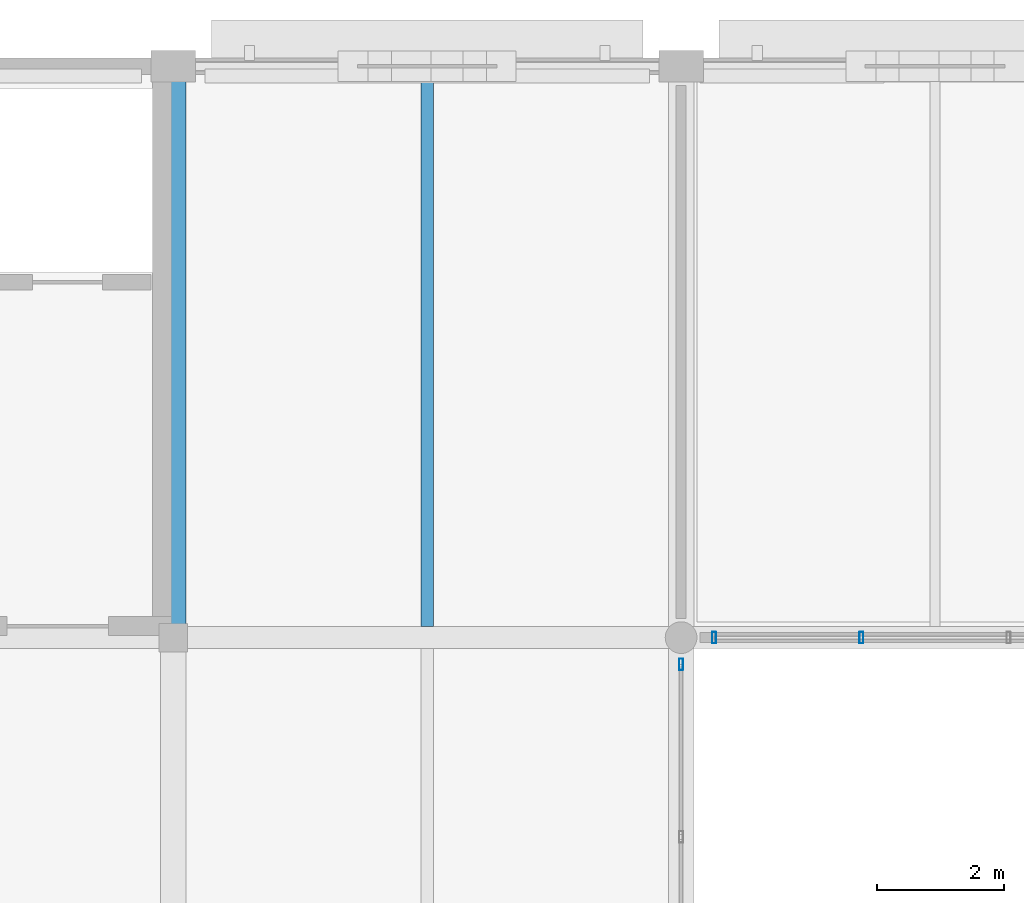
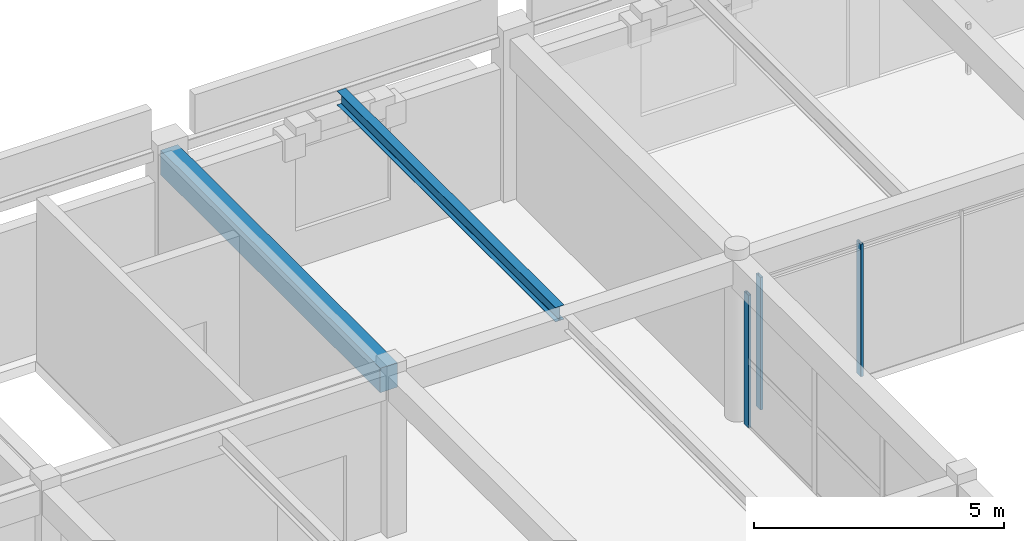
# One storey, part 54 of 126: 3 members, 2 beams, 2 elements without a shape of their own.
"""IFC4 building model written with IfcOpenShell, lengths in metres."""

from ifc_helpers import new_model, si_unit, direction, frame, origin, origin_2d, place, context, subcontext, project, spatial, rectangle, hollow_rectangle, i_section, extrude, material, material_profile, profile_set, type_object, element, aggregate, save


model = new_model("IFC4")

# Units and contexts
model_context = context("Model", 3, precision=1e-05, world=origin(), true_north=direction((0.0, 1.0)))
body_context = subcontext(model_context, "Body", "Model", "MODEL_VIEW")
ifc_project = project(units=[si_unit("LENGTHUNIT", "METRE"), si_unit("AREAUNIT", "SQUARE_METRE"), si_unit("VOLUMEUNIT", "CUBIC_METRE"), si_unit("PLANEANGLEUNIT", "RADIAN"), si_unit("MASSUNIT", "GRAM", prefix="KILO")], contexts=[model_context])

# Site, building, storey
site_placement = place(None, origin())
site = spatial("IfcSite", under=ifc_project, at=site_placement, CompositionType="ELEMENT")
building_placement = place(site_placement, origin())
building = spatial("IfcBuilding", under=site, at=building_placement, Name="Varnabhumi Central Station", CompositionType="ELEMENT")
storey_placement = place(building_placement, frame((0.0, 0.0, 16.199951171875)))
storey = spatial("IfcBuildingStorey", under=building, at=storey_placement, Name="L03", CompositionType="ELEMENT", Elevation=16.199951171875)

# Beams
ifc_material_1 = material(Name="Concrete M40", Category="concrete")
ifc_material_profile_1 = material_profile(ifc_material_1, rectangle(XDim=0.39990234375, YDim=0.60009765625, at=origin_2d()), Name="Concrete M40", Category="concrete")
ifc_profile_set_1 = profile_set([ifc_material_profile_1], Name="Concrete M40")
beam_type_1 = type_object("IfcBeamType", Name="BM-RC-400x600", PredefinedType="BEAM", material=ifc_profile_set_1)
beam_1_placement = place(storey_placement, frame((40.0, 107.10009765625, 3.650146484375), z_axis=(0.0, 1.0, 0.0), x_axis=(-1.0, 0.0, 0.0)))
element("IfcBeam", 1, at=beam_1_placement, inside=storey, type_object=beam_type_1, Name="Beam L03-6:N-P", PredefinedType="BEAM", context=body_context, shape_type="SweptSolid", body=[
    extrude(rectangle(XDim=0.39990234375, YDim=0.60009765625, at=origin_2d()), origin(), (0.0, 0.0, 1.0), 8.7998046875),
])
ifc_material_2 = material(Name="Structural steel E350", Category="steel")
ifc_material_profile_2 = material_profile(ifc_material_2, i_section(OverallWidth=0.199951171875, OverallDepth=0.35009765625, WebThickness=0.008056640625, FlangeThickness=0.011474609375, FilletRadius=0.011962890625, at=origin_2d()), Name="Structural steel E350", Category="steel")
ifc_profile_set_2 = profile_set([ifc_material_profile_2], Name="Structural steel E350")
beam_type_2 = type_object("IfcBeamType", Name="BM-STL-ISWB350", PredefinedType="JOIST", material=ifc_profile_set_2)
beam_2_placement = place(storey_placement, frame((44.0, 107.175048828125, 3.775146484375), z_axis=(0.0, 1.0, 0.0), x_axis=(-1.0, 0.0, 0.0)))
element("IfcBeam", 2, at=beam_2_placement, inside=storey, type_object=beam_type_2, Name="Secondary Joist L03-6/7:N-P", PredefinedType="JOIST", context=body_context, shape_type="SweptSolid", body=[
    extrude(i_section(OverallWidth=0.199951171875, OverallDepth=0.35009765625, WebThickness=0.008056640625, FlangeThickness=0.011474609375, FilletRadius=0.011962890625, at=origin_2d()), origin(), (0.0, 0.0, 1.0), 8.75),
])

# Curtain wall, member
ifc_material_3 = material(Name="Anodised aluminium 6063-T6", Category="aluminium")
curtain_wall_type = type_object("IfcCurtainWallType", Name="CW-PATIO-LOGGIA-L3", PredefinedType="NOTDEFINED", material=ifc_material_3)
curtain_wall_1_placement = place(storey_placement, origin())
curtain_wall_1 = element("IfcCurtainWall", 3, at=curtain_wall_1_placement, inside=storey, type_object=curtain_wall_type, Name="Curtain Wall CW-NP3E2", PredefinedType="NOTDEFINED")
ifc_material_profile_3 = material_profile(ifc_material_3, hollow_rectangle(XDim=0.06494140625, YDim=0.179931640625, WallThickness=0.00390625, InnerFilletRadius=0.001953125, OuterFilletRadius=0.006103515625, at=origin_2d()), Name="Anodised aluminium 6063-T6", Category="aluminium")
ifc_profile_set_3 = profile_set([ifc_material_profile_3], Name="Anodised aluminium 6063-T6")
member_type = type_object("IfcMemberType", Name="CW-MUL-180", PredefinedType="MULLION", material=ifc_profile_set_3)
member_1_placement = place(storey_placement, frame((48.0, 106.580078125, 0.0), z_axis=(0.0, 0.0, 1.0), x_axis=(1.0, 0.0, 0.0)))
member_1 = element("IfcMember", 4, at=member_1_placement, type_object=member_type, Name="Curtain Wall Mullion CW-NP3E2-M4", PredefinedType="MULLION", context=body_context, shape_type="SweptSolid", body=[
    extrude(hollow_rectangle(XDim=0.06494140625, YDim=0.179931640625, WallThickness=0.00390625, InnerFilletRadius=0.001953125, OuterFilletRadius=0.006103515625, at=origin_2d()), origin(), (0.0, 0.0, 1.0), 3.239990234375),
])
aggregate(curtain_wall_1, [member_1])

# Curtain wall, members
curtain_wall_2_placement = place(storey_placement, origin())
curtain_wall_2 = element("IfcCurtainWall", 5, at=curtain_wall_2_placement, inside=storey, type_object=curtain_wall_type, Name="Curtain Wall CW-NP3N1", PredefinedType="NOTDEFINED")
member_2_placement = place(storey_placement, frame((48.52001953125, 107.0, 0.0), z_axis=(0.0, 0.0, 1.0), x_axis=(1.0, 0.0, 0.0)))
member_2 = element("IfcMember", 6, at=member_2_placement, type_object=member_type, Name="Curtain Wall Mullion CW-NP3N1-M1", PredefinedType="MULLION", context=body_context, shape_type="SweptSolid", body=[
    extrude(hollow_rectangle(XDim=0.06494140625, YDim=0.179931640625, WallThickness=0.00390625, InnerFilletRadius=0.001953125, OuterFilletRadius=0.006103515625, at=origin_2d()), origin(), (0.0, 0.0, 1.0), 3.239990234375),
])
member_3_placement = place(storey_placement, frame((50.840087890625, 107.0, 0.0), z_axis=(0.0, 0.0, 1.0), x_axis=(1.0, 0.0, 0.0)))
member_3 = element("IfcMember", 7, at=member_3_placement, type_object=member_type, Name="Curtain Wall Mullion CW-NP3N1-M2", PredefinedType="MULLION", context=body_context, shape_type="SweptSolid", body=[
    extrude(hollow_rectangle(XDim=0.06494140625, YDim=0.179931640625, WallThickness=0.00390625, InnerFilletRadius=0.001953125, OuterFilletRadius=0.006103515625, at=origin_2d()), origin(), (0.0, 0.0, 1.0), 3.239990234375),
])
aggregate(curtain_wall_2, [member_2, member_3])

save(model, "model.ifc")
